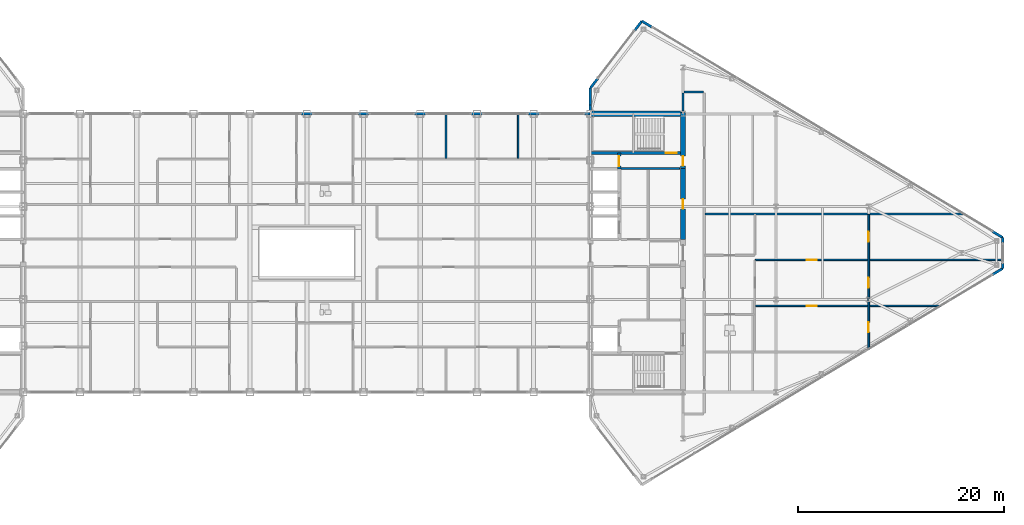
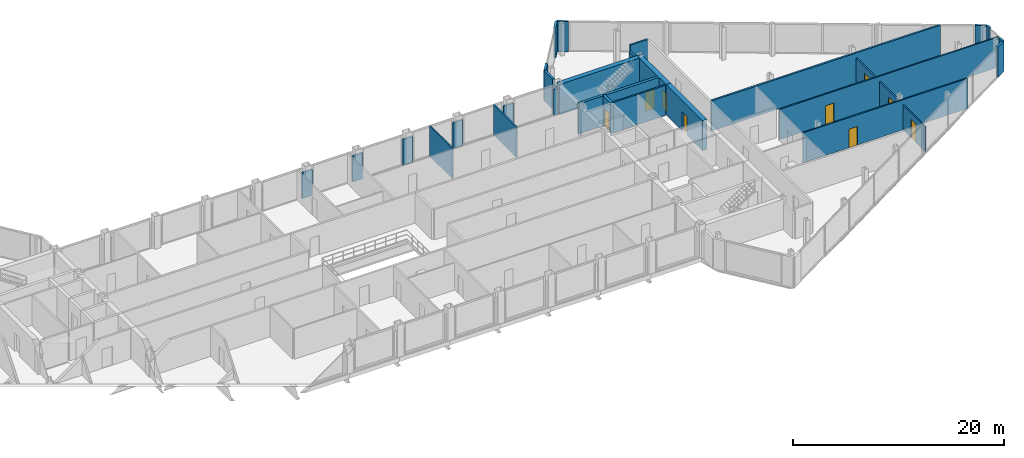
# One storey, part 25 of 28: 29 walls, 9 doors, 9 openings.
"""IFC4 building model written with IfcOpenShell, lengths in metres."""

from ifc_helpers import new_model, si_unit, direction, frame, frame_2d, origin, place, context, subcontext, project, spatial, rectangle, extrude, source, transform, mapped, material, layer, layer_set, type_object, type_shapes, element, fill, save


model = new_model("IFC4")

# Units and contexts
model_context = context("Model", 3, precision=1e-05, world=origin(), true_north=direction((0.0, 1.0)))
body_context = subcontext(model_context, "Body", "Model", "MODEL_VIEW")
ifc_project = project(units=[si_unit("LENGTHUNIT", "METRE"), si_unit("AREAUNIT", "SQUARE_METRE"), si_unit("VOLUMEUNIT", "CUBIC_METRE"), si_unit("PLANEANGLEUNIT", "RADIAN"), si_unit("MASSUNIT", "GRAM", prefix="KILO")], contexts=[model_context])

# Site, building, storey
site_placement = place(None, origin())
site = spatial("IfcSite", under=ifc_project, at=site_placement, CompositionType="ELEMENT")
building_placement = place(site_placement, origin())
building = spatial("IfcBuilding", under=site, at=building_placement, Name="Seokmaru Belvedere", CompositionType="ELEMENT")
storey_placement = place(building_placement, frame((0.0, 0.0, 265.64990234375)))
storey = spatial("IfcBuildingStorey", under=building, at=storey_placement, Name="L70", CompositionType="ELEMENT", Elevation=265.64990234375)

# Wall, opening, door
ifc_material_1 = material(Name="Fire-Rated Gypsum Shaftwall")
ifc_layer_1 = layer(ifc_material_1, 0.14990234375)
ifc_layer_set_1 = layer_set([ifc_layer_1], Name="Fire-Rated Gypsum Shaftwall")
wall_type_1 = type_object("IfcWallType", Name="Apartment Fire-Acoustic Room Partition 150", PredefinedType="PARTITIONING", material=ifc_layer_set_1)
wall_1_placement = place(storey_placement, frame((43.5, -5.1298828125, 0.0), z_axis=(0.0, 0.0, 1.0), x_axis=(1.0, 0.0, 0.0)))
wall_1 = element("IfcWall", 1, at=wall_1_placement, inside=storey, type_object=wall_type_1, Name="L70 Interior Partition 009", PredefinedType="PARTITIONING", context=body_context, shape_type="SweptSolid", body=[
    extrude(rectangle(XDim=17.97998046875, YDim=0.14990234375, at=frame_2d((8.989990234375, 0.0))), origin(), (0.0, 0.0, 1.0), 3.489990234375),
])
opening_1_placement = place(wall_1_placement, frame((5.0, 0.0, 0.0)))
opening_1 = element("IfcOpeningElement", 2, at=opening_1_placement, cuts=wall_1, Name="Opening D05", PredefinedType="OPENING", context=body_context, shape_type="SweptSolid", body=[
    extrude(rectangle(XDim=0.949951171875, YDim=2.14990234375, at=frame_2d((0.47509765625, 1.074951171875))), frame((0.0, 0.0849609375, 0.0), z_axis=(0.0, -1.0, 0.0), x_axis=(1.0, 0.0, 0.0)), (0.0, 0.0, 1.0), 0.169921875),
])
ifc_material_2 = material(Name="Engineered White Oak Timber", Category="wood")
door_type_1 = type_object("IfcDoorType", Name="Apartment Interior Fire-Rated Oak Door 950x2150", OperationType="NOTDEFINED", PredefinedType="DOOR", material=ifc_material_2)
shared_shape_1 = source(origin(), body_context, "Body", "SweptSolid", [
    extrude(rectangle(XDim=0.949951171875, YDim=2.14990234375, at=frame_2d((0.47509765625, 1.074951171875))), frame((0.0, 0.02490234375, 0.0), z_axis=(0.0, -1.0, 0.0), x_axis=(1.0, 0.0, 0.0)), (0.0, 0.0, 1.0), 0.050048828125),
])
type_shapes(door_type_1, [shared_shape_1])
door_1_placement = place(opening_1_placement, origin())
door_1 = element("IfcDoor", 3, at=door_1_placement, inside=storey, type_object=door_type_1, Name="L70 Interior Door 009", OperationType="SINGLE_SWING_RIGHT", OverallHeight=2.14990234375, OverallWidth=0.949951171875, PredefinedType="DOOR", context=body_context, shape_type="MappedRepresentation", body=[
    mapped(shared_shape_1, transform((0.0, 0.0, 0.0), scale=1.0)),
])
fill(opening_1, door_1)

wall_2_placement = place(storey_placement, frame((43.5, -0.669921875, 0.0), z_axis=(0.0, 0.0, 1.0), x_axis=(1.0, 0.0, 0.0)))
wall_2 = element("IfcWall", 4, at=wall_2_placement, inside=storey, type_object=wall_type_1, Name="L70 Interior Partition 013", PredefinedType="PARTITIONING", context=body_context, shape_type="SweptSolid", body=[
    extrude(rectangle(XDim=24.034912109375, YDim=0.14990234375, at=frame_2d((12.017578125, 0.0))), origin(), (0.0, 0.0, 1.0), 3.489990234375),
])
opening_2_placement = place(wall_2_placement, frame((5.0, 0.0, 0.0)))
opening_2 = element("IfcOpeningElement", 5, at=opening_2_placement, cuts=wall_2, Name="Opening D05", PredefinedType="OPENING", context=body_context, shape_type="SweptSolid", body=[
    extrude(rectangle(XDim=0.949951171875, YDim=2.14990234375, at=frame_2d((0.47509765625, 1.074951171875))), frame((0.0, 0.0849609375, 0.0), z_axis=(0.0, -1.0, 0.0), x_axis=(1.0, 0.0, 0.0)), (0.0, 0.0, 1.0), 0.169921875),
])
door_2_placement = place(opening_2_placement, origin())
door_2 = element("IfcDoor", 6, at=door_2_placement, inside=storey, type_object=door_type_1, Name="L70 Interior Door 010", OperationType="SINGLE_SWING_LEFT", OverallHeight=2.14990234375, OverallWidth=0.949951171875, PredefinedType="DOOR", context=body_context, shape_type="MappedRepresentation", body=[
    mapped(shared_shape_1, transform((0.0, 0.0, 0.0), scale=1.0)),
])
fill(opening_2, door_2)

# Walls
for number, where, z_axis, x_axis, name in (
    (7, (13.5, 9.18505859375, 0.0), (0.0, 0.0, 1.0), (0.0, 1.0, 0.0), "L70 Interior Partition 044"),
    (8, (20.5, 9.18505859375, 0.0), (0.0, 0.0, 1.0), (0.0, 1.0, 0.0), "L70 Interior Partition 046"),
):
    element("IfcWall", number, at=place(storey_placement, frame(where, z_axis=z_axis, x_axis=x_axis)), inside=storey, type_object=wall_type_1, Name=name, PredefinedType="PARTITIONING", context=body_context, shape_type="SweptSolid", body=[
        extrude(rectangle(XDim=4.31494140625, YDim=0.14990234375, at=frame_2d((2.157470703125, 0.0))), origin(), (0.0, 0.0, 1.0), 3.489990234375),
    ])

# Wall, openings, doors
wall_3_placement = place(storey_placement, frame((54.5, -9.3349609375, 0.0), z_axis=(0.0, 0.0, 1.0), x_axis=(0.0, 1.0, 0.0)))
wall_3 = element("IfcWall", 9, at=wall_3_placement, inside=storey, type_object=wall_type_1, Name="L70 Interior Partition 052", PredefinedType="PARTITIONING", context=body_context, shape_type="SweptSolid", body=[
    extrude(rectangle(XDim=13.0849609375, YDim=0.14990234375, at=frame_2d((6.54248046875, 0.0))), origin(), (0.0, 0.0, 1.0), 2.89013671875),
])
opening_3_placement = place(wall_3_placement, frame((5.9599609375, 0.0, 0.0)))
opening_3 = element("IfcOpeningElement", 10, at=opening_3_placement, cuts=wall_3, Name="Opening D05", PredefinedType="OPENING", context=body_context, shape_type="SweptSolid", body=[
    extrude(rectangle(XDim=0.949951171875, YDim=2.14990234375, at=frame_2d((0.47509765625, 1.074951171875))), frame((0.0, 0.0849609375, 0.0), z_axis=(0.0, -1.0, 0.0), x_axis=(1.0, 0.0, 0.0)), (0.0, 0.0, 1.0), 0.169921875),
])
opening_4_placement = place(wall_3_placement, frame((1.643310546875, 0.0, 0.0)))
opening_4 = element("IfcOpeningElement", 11, at=opening_4_placement, cuts=wall_3, Name="Opening D05", PredefinedType="OPENING", context=body_context, shape_type="SweptSolid", body=[
    extrude(rectangle(XDim=0.949951171875, YDim=2.14990234375, at=frame_2d((0.47509765625, 1.074951171875))), frame((0.0, 0.0849609375, 0.0), z_axis=(0.0, -1.0, 0.0), x_axis=(1.0, 0.0, 0.0)), (0.0, 0.0, 1.0), 0.169921875),
])
opening_5_placement = place(wall_3_placement, frame((10.4267578125, 0.0, 0.0)))
opening_5 = element("IfcOpeningElement", 12, at=opening_5_placement, cuts=wall_3, Name="Opening D05", PredefinedType="OPENING", context=body_context, shape_type="SweptSolid", body=[
    extrude(rectangle(XDim=0.949951171875, YDim=2.14990234375, at=frame_2d((0.47509765625, 1.074951171875))), frame((0.0, 0.0849609375, 0.0), z_axis=(0.0, -1.0, 0.0), x_axis=(1.0, 0.0, 0.0)), (0.0, 0.0, 1.0), 0.169921875),
])
door_3_placement = place(opening_3_placement, origin())
door_3 = element("IfcDoor", 13, at=door_3_placement, inside=storey, type_object=door_type_1, Name="L70 Interior Door 008", OperationType="SINGLE_SWING_RIGHT", OverallHeight=2.14990234375, OverallWidth=0.949951171875, PredefinedType="DOOR", context=body_context, shape_type="MappedRepresentation", body=[
    mapped(shared_shape_1, transform((0.0, 0.0, 0.0), scale=1.0)),
])
fill(opening_3, door_3)
door_4_placement = place(opening_4_placement, origin())
door_4 = element("IfcDoor", 14, at=door_4_placement, inside=storey, type_object=door_type_1, Name="L70 Interior Door 011", OperationType="SINGLE_SWING_LEFT", OverallHeight=2.14990234375, OverallWidth=0.949951171875, PredefinedType="DOOR", context=body_context, shape_type="MappedRepresentation", body=[
    mapped(shared_shape_1, transform((0.0, 0.0, 0.0), scale=1.0)),
])
fill(opening_4, door_4)
door_5_placement = place(opening_5_placement, origin())
door_5 = element("IfcDoor", 15, at=door_5_placement, inside=storey, type_object=door_type_1, Name="L70 Interior Door 012", OperationType="SINGLE_SWING_RIGHT", OverallHeight=2.14990234375, OverallWidth=0.949951171875, PredefinedType="DOOR", context=body_context, shape_type="MappedRepresentation", body=[
    mapped(shared_shape_1, transform((0.0, 0.0, 0.0), scale=1.0)),
])
fill(opening_5, door_5)

# Walls
ifc_material_3 = material(Name="Anodised Bronze Aluminium", Category="aluminium")
ifc_layer_2 = layer(ifc_material_3, 0.2099609375)
ifc_layer_set_2 = layer_set([ifc_layer_2], Name="Anodised Bronze Aluminium")
wall_type_2 = type_object("IfcWallType", Name="Bridge Column Spandrel Closure Pier 210", PredefinedType="SOLIDWALL", material=ifc_layer_set_2)
for number, where, z_axis, x_axis, name in (
    (16, (-0.550048828125, 13.5, 0.0), (0.0, 0.0, 1.0), (1.0, 0.0, 0.0), "L70 Bridge North Column Closure Pier 06"),
    (17, (4.949951171875, 13.5, 0.0), (0.0, 0.0, 1.0), (1.0, 0.0, 0.0), "L70 Bridge North Column Closure Pier 07"),
    (18, (10.449951171875, 13.5, 0.0), (0.0, 0.0, 1.0), (1.0, 0.0, 0.0), "L70 Bridge North Column Closure Pier 08"),
    (19, (15.949951171875, 13.5, 0.0), (0.0, 0.0, 1.0), (1.0, 0.0, 0.0), "L70 Bridge North Column Closure Pier 09"),
    (20, (21.449951171875, 13.5, 0.0), (0.0, 0.0, 1.0), (1.0, 0.0, 0.0), "L70 Bridge North Column Closure Pier 10"),
):
    element("IfcWall", number, at=place(storey_placement, frame(where, z_axis=z_axis, x_axis=x_axis)), inside=storey, type_object=wall_type_2, Name=name, PredefinedType="SOLIDWALL", context=body_context, shape_type="SweptSolid", body=[
        extrude(rectangle(XDim=1.10009765625, YDim=0.2099609375, at=frame_2d((0.550048828125, 0.0))), origin(), (0.0, 0.0, 1.0), 2.989990234375),
    ])
wall_4_placement = place(storey_placement, frame((26.949951171875, 13.5, 0.0), z_axis=(0.0, 0.0, 1.0), x_axis=(1.0, 0.0, 0.0)))
element("IfcWall", 21, at=wall_4_placement, inside=storey, type_object=wall_type_2, Name="L70 Bridge North Column Closure Pier 11", PredefinedType="SOLIDWALL", context=body_context, shape_type="SweptSolid", body=[
    extrude(rectangle(XDim=0.5400390625, YDim=0.2099609375, at=frame_2d((0.27001953125, 0.0))), origin(), (0.0, 0.0, 1.0), 2.989990234375),
])
ifc_layer_3 = layer(ifc_material_1, 0.179931640625)
ifc_layer_set_3 = layer_set([ifc_layer_3], Name="Fire-Rated Gypsum Shaftwall")
wall_type_3 = type_object("IfcWallType", Name="Core Service Fire Partition 180", PredefinedType="PARTITIONING", material=ifc_layer_set_3)
wall_5_placement = place(storey_placement, frame((30.449951171875, 8.199951171875, 0.0), z_axis=(0.0, 0.0, 1.0), x_axis=(1.0, 0.0, 0.0)))
element("IfcWall", 22, at=wall_5_placement, inside=storey, type_object=wall_type_3, Name="L70 East Smokeproof Vestibule Partition", PredefinedType="PARTITIONING", context=body_context, shape_type="SweptSolid", body=[
    extrude(rectangle(XDim=5.699951171875, YDim=0.179931640625, at=frame_2d((2.85009765625, 0.0))), origin(), (0.0, 0.0, 1.0), 3.489990234375),
])
ifc_layer_4 = layer(ifc_material_1, 0.199951171875)
ifc_layer_set_4 = layer_set([ifc_layer_4], Name="Fire-Rated Gypsum Shaftwall")
wall_type_4 = type_object("IfcWallType", Name="Inter-Tenancy Fire Compartment Partition 200", PredefinedType="PARTITIONING", material=ifc_layer_set_4)
wall_6_placement = place(storey_placement, frame((38.6298828125, 3.800048828125, 0.0), z_axis=(0.0, 0.0, 1.0), x_axis=(1.0, 0.0, 0.0)))
element("IfcWall", 23, at=wall_6_placement, inside=storey, type_object=wall_type_4, Name="L70 Interior Partition 018", PredefinedType="PARTITIONING", context=body_context, shape_type="SweptSolid", body=[
    extrude(rectangle(XDim=25.046142578125, YDim=0.199951171875, at=frame_2d((12.52294921875, 0.0))), origin(), (0.0, 0.0, 1.0), 3.489990234375),
])
wall_7_placement = place(storey_placement, frame((36.5849609375, 15.60009765625, 0.0), z_axis=(0.0, 0.0, 1.0), x_axis=(1.0, 0.0, 0.0)))
element("IfcWall", 24, at=wall_7_placement, inside=storey, type_object=wall_type_4, Name="L70 Interior Partition 025", PredefinedType="PARTITIONING", context=body_context, shape_type="SweptSolid", body=[
    extrude(rectangle(XDim=1.880126953125, YDim=0.199951171875, at=frame_2d((0.93994140625, 0.0))), origin(), (0.0, 0.0, 1.0), 3.489990234375),
])
wall_8_placement = place(storey_placement, frame((36.5, 13.7548828125, 0.0), z_axis=(0.0, 0.0, 1.0), x_axis=(0.0, 1.0, 0.0)))
element("IfcWall", 25, at=wall_8_placement, inside=storey, type_object=wall_type_4, Name="L70 Interior Partition 048", PredefinedType="PARTITIONING", context=body_context, shape_type="SweptSolid", body=[
    extrude(rectangle(XDim=1.760009765625, YDim=0.199951171875, at=frame_2d((0.8798828125, 0.0))), origin(), (0.0, 0.0, 1.0), 2.89013671875),
])

# Wall, opening, door
ifc_material_4 = material(Name="Concrete C50 (50 MPa)", Category="concrete")
ifc_layer_5 = layer(ifc_material_4, 0.300048828125)
ifc_layer_set_5 = layer_set([ifc_layer_5], Name="Concrete C50 (50 MPa)")
wall_type_5 = type_object("IfcWallType", Name="Internal Core Stair and Hoistway Wall 300", PredefinedType="SHEAR", material=ifc_layer_set_5)
wall_9_placement = place(storey_placement, frame((27.5, 9.699951171875, 0.0), z_axis=(0.0, 0.0, 1.0), x_axis=(1.0, 0.0, 0.0)))
wall_9 = element("IfcWall", 26, at=wall_9_placement, inside=storey, type_object=wall_type_5, Name="L70 East Stair ST-2 Enclosure Wall", PredefinedType="SHEAR", context=body_context, shape_type="SweptSolid", body=[
    extrude(rectangle(XDim=9.0, YDim=0.300048828125, at=frame_2d((4.5, 0.0))), origin(), (0.0, 0.0, 1.0), 3.489990234375),
])
opening_6_placement = place(wall_9_placement, frame((7.300048828125, 0.0, 0.0)))
opening_6 = element("IfcOpeningElement", 27, at=opening_6_placement, cuts=wall_9, Name="Opening D01", PredefinedType="OPENING", context=body_context, shape_type="SweptSolid", body=[
    extrude(rectangle(XDim=1.10009765625, YDim=2.199951171875, at=frame_2d((0.550048828125, 1.10009765625))), frame((0.0, 0.16015625, 0.0), z_axis=(0.0, -1.0, 0.0), x_axis=(1.0, 0.0, 0.0)), (0.0, 0.0, 1.0), 0.320068359375),
])
ifc_material_5 = material(Name="Fire-Rated Steel Leaf", Category="steel")
door_type_2 = type_object("IfcDoorType", Name="Special Escape Stair Smokeproof Fire Door 1100x2200", OperationType="NOTDEFINED", PredefinedType="DOOR", material=ifc_material_5)
shared_shape_2 = source(origin(), body_context, "Body", "SweptSolid", [
    extrude(rectangle(XDim=1.10009765625, YDim=2.199951171875, at=frame_2d((0.550048828125, 1.10009765625))), frame((0.0, 0.02490234375, 0.0), z_axis=(0.0, -1.0, 0.0), x_axis=(1.0, 0.0, 0.0)), (0.0, 0.0, 1.0), 0.050048828125),
])
type_shapes(door_type_2, [shared_shape_2])
door_6_placement = place(opening_6_placement, origin())
door_6 = element("IfcDoor", 28, at=door_6_placement, inside=storey, type_object=door_type_2, Name="L70 East Special Escape Stair ST-2 Door", OperationType="SINGLE_SWING_LEFT", OverallHeight=2.199951171875, OverallWidth=1.10009765625, PredefinedType="DOOR", context=body_context, shape_type="MappedRepresentation", body=[
    mapped(shared_shape_2, transform((0.0, 0.0, 0.0), scale=1.0)),
])
fill(opening_6, door_6)

wall_10_placement = place(storey_placement, frame((30.300048828125, 8.14990234375, 0.0), z_axis=(0.0, 0.0, 1.0), x_axis=(0.0, 1.0, 0.0)))
wall_10 = element("IfcWall", 29, at=wall_10_placement, inside=storey, type_object=wall_type_5, Name="L70 East Electrical Riser Front Wall", PredefinedType="SHEAR", context=body_context, shape_type="SweptSolid", body=[
    extrude(rectangle(XDim=1.530029296875, YDim=0.300048828125, at=frame_2d((0.76513671875, 0.0))), origin(), (0.0, 0.0, 1.0), 3.489990234375),
])
opening_7_placement = place(wall_10_placement, frame((0.284912109375, 0.0, 0.0)))
opening_7 = element("IfcOpeningElement", 30, at=opening_7_placement, cuts=wall_10, Name="Opening D04", PredefinedType="OPENING", context=body_context, shape_type="SweptSolid", body=[
    extrude(rectangle(XDim=0.949951171875, YDim=2.14990234375, at=frame_2d((0.47509765625, 1.074951171875))), frame((0.0, 0.16015625, 0.0), z_axis=(0.0, -1.0, 0.0), x_axis=(1.0, 0.0, 0.0)), (0.0, 0.0, 1.0), 0.320068359375),
])
door_type_3 = type_object("IfcDoorType", Name="Core Service Room Fire Door 950x2150", OperationType="NOTDEFINED", PredefinedType="DOOR", material=ifc_material_5)
shared_shape_3 = source(origin(), body_context, "Body", "SweptSolid", [
    extrude(rectangle(XDim=0.949951171875, YDim=2.14990234375, at=frame_2d((0.47509765625, 1.074951171875))), frame((0.0, 0.02490234375, 0.0), z_axis=(0.0, -1.0, 0.0), x_axis=(1.0, 0.0, 0.0)), (0.0, 0.0, 1.0), 0.050048828125),
])
type_shapes(door_type_3, [shared_shape_3])
door_7_placement = place(opening_7_placement, origin())
door_7 = element("IfcDoor", 31, at=door_7_placement, inside=storey, type_object=door_type_3, Name="L70 East Electrical Riser Access Door", OperationType="SINGLE_SWING_RIGHT", OverallHeight=2.14990234375, OverallWidth=0.949951171875, PredefinedType="DOOR", context=body_context, shape_type="MappedRepresentation", body=[
    mapped(shared_shape_3, transform((0.0, 0.0, 0.0), scale=1.0)),
])
fill(opening_7, door_7)

# Walls
ifc_layer_6 = layer(ifc_material_3, 0.239990234375)
ifc_layer_set_6 = layer_set([ifc_layer_6], Name="Anodised Bronze Aluminium")
wall_type_6 = type_object("IfcWallType", Name="Tower Corner Spandrel Closure Wall 240", PredefinedType="SOLIDWALL", material=ifc_layer_set_6)
wall_11_placement = place(storey_placement, frame((66.513916015625, -2.091796875, 0.0), z_axis=(0.0, 0.0, 1.0), x_axis=(0.85743623509, 0.514590228002, 0.0)))
element("IfcWall", 32, at=wall_11_placement, inside=storey, type_object=wall_type_6, Name="L70 E Corner Closure Pier 1B", PredefinedType="SOLIDWALL", context=body_context, shape_type="SweptSolid", body=[
    extrude(rectangle(XDim=1.14013671875, YDim=0.239990234375, at=frame_2d((0.570068359375, 0.0))), origin(), (0.0, 0.0, 1.0), 3.489990234375),
])
for number, where, z_axis, x_axis, name in (
    (33, (67.5, -1.489990234375, 0.0), (0.0, 0.0, 1.0), (0.0, 1.0, 0.0), "L70 E Apex Closure Pier 2A"),
    (34, (67.5, 0.949951171875, 0.0), (0.0, 0.0, 1.0), (0.0, 1.0, 0.0), "L70 E Apex Closure Pier 2B"),
):
    element("IfcWall", number, at=place(storey_placement, frame(where, z_axis=z_axis, x_axis=x_axis)), inside=storey, type_object=wall_type_6, Name=name, PredefinedType="SOLIDWALL", context=body_context, shape_type="SweptSolid", body=[
        extrude(rectangle(XDim=0.5400390625, YDim=0.239990234375, at=frame_2d((0.27001953125, 0.0))), origin(), (0.0, 0.0, 1.0), 3.489990234375),
    ])
for number, where, z_axis, x_axis, name in (
    (35, (67.491455078125, 1.505126953125, 0.0), (0.0, 0.0, 1.0), (-0.85743623509, 0.514590228002, 0.0), "L70 E Corner Closure Pier 3A"),
    (36, (33.486083984375, 21.908203125, 0.0), (0.0, 0.0, 1.0), (-0.85743623509, 0.514590228002, 0.0), "L70 E Corner Closure Pier 3B"),
    (37, (32.493896484375, 22.4921875, 0.0), (0.0, 0.0, 1.0), (-0.609617623633, -0.792695624408, 0.0), "L70 E Corner Closure Pier 4A"),
    (38, (28.201171875, 16.91162109375, 0.0), (0.0, 0.0, 1.0), (-0.609617623633, -0.792695624408, 0.0), "L70 E Corner Closure Pier 4B"),
):
    element("IfcWall", number, at=place(storey_placement, frame(where, z_axis=z_axis, x_axis=x_axis)), inside=storey, type_object=wall_type_6, Name=name, PredefinedType="SOLIDWALL", context=body_context, shape_type="SweptSolid", body=[
        extrude(rectangle(XDim=1.14013671875, YDim=0.239990234375, at=frame_2d((0.570068359375, 0.0))), origin(), (0.0, 0.0, 1.0), 3.489990234375),
    ])
wall_12_placement = place(storey_placement, frame((27.5, 13.7548828125, 0.0), z_axis=(0.0, 0.0, 1.0), x_axis=(0.0, 1.0, 0.0)))
element("IfcWall", 39, at=wall_12_placement, inside=storey, type_object=wall_type_6, Name="L70 E Shoulder Closure Wall 2", PredefinedType="SOLIDWALL", context=body_context, shape_type="SweptSolid", body=[
    extrude(rectangle(XDim=0.619873046875, YDim=0.239990234375, at=frame_2d((0.31005859375, 0.0))), origin(), (0.0, 0.0, 1.0), 2.989990234375),
])
wall_13_placement = place(storey_placement, frame((27.5, 14.374755859375, 0.0), z_axis=(0.0, 0.0, 1.0), x_axis=(0.0, 1.0, 0.0)))
element("IfcWall", 40, at=wall_13_placement, inside=storey, type_object=wall_type_6, Name="L70 E Shoulder Closure Wall 2 Part 2", PredefinedType="SOLIDWALL", context=body_context, shape_type="SweptSolid", body=[
    extrude(rectangle(XDim=1.605224609375, YDim=0.239990234375, at=frame_2d((0.802734375, 0.0))), origin(), (0.0, 0.0, 1.0), 3.489990234375),
])
ifc_layer_7 = layer(ifc_material_4, 0.5)
ifc_layer_set_7 = layer_set([ifc_layer_7], Name="Concrete C50 (50 MPa)")
wall_type_7 = type_object("IfcWallType", Name="Upper Tower Reinforced Concrete Core Wall 500", PredefinedType="SHEAR", material=ifc_layer_set_7)
wall_14_placement = place(storey_placement, frame((27.5, 13.5, 0.0), z_axis=(0.0, 0.0, 1.0), x_axis=(1.0, 0.0, 0.0)))
element("IfcWall", 41, at=wall_14_placement, inside=storey, type_object=wall_type_7, Name="L70 East North Core Wall", PredefinedType="SHEAR", context=body_context, shape_type="SweptSolid", body=[
    extrude(rectangle(XDim=9.0, YDim=0.5, at=frame_2d((4.5, 0.0))), origin(), (0.0, 0.0, 1.0), 3.489990234375),
])

# Wall, opening, door
wall_15_placement = place(storey_placement, frame((36.5, 8.199951171875, 0.0), z_axis=(0.0, 0.0, 1.0), x_axis=(0.0, 1.0, 0.0)))
wall_15 = element("IfcWall", 42, at=wall_15_placement, inside=storey, type_object=wall_type_7, Name="L70 East West Core Wall VST", PredefinedType="SHEAR", context=body_context, shape_type="SweptSolid", body=[
    extrude(rectangle(XDim=5.449951171875, YDim=0.5, at=frame_2d((2.72509765625, 0.0))), origin(), (0.0, 0.0, 1.0), 3.489990234375),
])
opening_8_placement = place(wall_15_placement, frame((0.2451171875, 0.0, 0.0)))
opening_8 = element("IfcOpeningElement", 43, at=opening_8_placement, cuts=wall_15, Name="Opening D04", PredefinedType="OPENING", context=body_context, shape_type="SweptSolid", body=[
    extrude(rectangle(XDim=0.949951171875, YDim=2.14990234375, at=frame_2d((0.47509765625, 1.074951171875))), frame((0.0, 0.260009765625, 0.0), z_axis=(0.0, -1.0, 0.0), x_axis=(1.0, 0.0, 0.0)), (0.0, 0.0, 1.0), 0.52001953125),
])
door_8_placement = place(opening_8_placement, origin())
door_8 = element("IfcDoor", 44, at=door_8_placement, inside=storey, type_object=door_type_3, Name="L70 East Smokeproof Vestibule Door", OperationType="SINGLE_SWING_LEFT", OverallHeight=2.14990234375, OverallWidth=0.949951171875, PredefinedType="DOOR", context=body_context, shape_type="MappedRepresentation", body=[
    mapped(shared_shape_3, transform((0.0, 0.0, 0.0), scale=1.0)),
])
fill(opening_8, door_8)

wall_16_placement = place(storey_placement, frame((36.5, 1.300048828125, 0.0), z_axis=(0.0, 0.0, 1.0), x_axis=(0.0, 1.0, 0.0)))
wall_16 = element("IfcWall", 45, at=wall_16_placement, inside=storey, type_object=wall_type_7, Name="L70 East West Core Wall CS2", PredefinedType="SHEAR", context=body_context, shape_type="SweptSolid", body=[
    extrude(rectangle(XDim=6.89990234375, YDim=0.5, at=frame_2d((3.449951171875, 0.0))), origin(), (0.0, 0.0, 1.0), 3.489990234375),
])
opening_9_placement = place(wall_16_placement, frame((2.97509765625, 0.0, 0.0)))
opening_9 = element("IfcOpeningElement", 46, at=opening_9_placement, cuts=wall_16, Name="Opening D04", PredefinedType="OPENING", context=body_context, shape_type="SweptSolid", body=[
    extrude(rectangle(XDim=0.949951171875, YDim=2.14990234375, at=frame_2d((0.47509765625, 1.074951171875))), frame((0.0, 0.260009765625, 0.0), z_axis=(0.0, -1.0, 0.0), x_axis=(1.0, 0.0, 0.0)), (0.0, 0.0, 1.0), 0.52001953125),
])
door_9_placement = place(opening_9_placement, origin())
door_9 = element("IfcDoor", 47, at=door_9_placement, inside=storey, type_object=door_type_3, Name="L70 East Core Service Room Door 2", OperationType="SINGLE_SWING_LEFT", OverallHeight=2.14990234375, OverallWidth=0.949951171875, PredefinedType="DOOR", context=body_context, shape_type="MappedRepresentation", body=[
    mapped(shared_shape_3, transform((0.0, 0.0, 0.0), scale=1.0)),
])
fill(opening_9, door_9)

save(model, "model.ifc")
